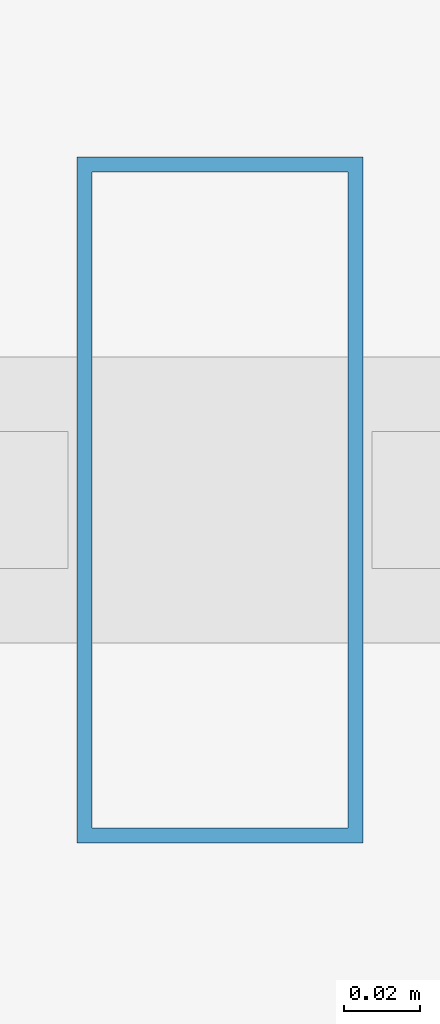
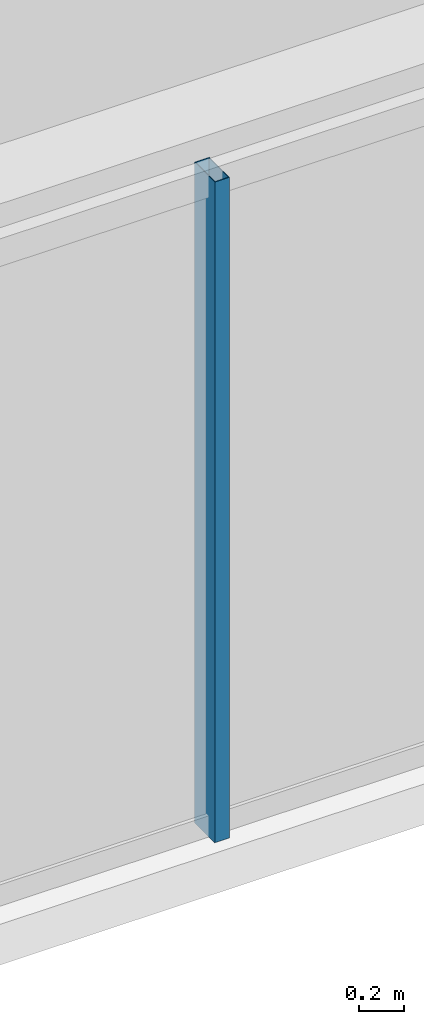
# One storey, part 7 of 32: 1 member, 1 element without a shape of its own.
"""IFC4 building model written with IfcOpenShell, lengths in metres."""

from ifc_helpers import new_model, si_unit, direction, frame, origin, origin_2d, place, context, subcontext, project, spatial, hollow_rectangle, extrude, material, layer, layer_set, material_profile, profile_set, type_object, element, aggregate, save


model = new_model("IFC4")

# Units and contexts
model_context = context("Model", 3, precision=1e-05, world=origin(), true_north=direction((0.0, 1.0)))
body_context = subcontext(model_context, "Body", "Model", "MODEL_VIEW")
ifc_project = project(units=[si_unit("LENGTHUNIT", "METRE"), si_unit("AREAUNIT", "SQUARE_METRE"), si_unit("VOLUMEUNIT", "CUBIC_METRE"), si_unit("PLANEANGLEUNIT", "RADIAN"), si_unit("MASSUNIT", "GRAM", prefix="KILO")], contexts=[model_context])

# Site, building, storey
site_placement = place(None, origin())
site = spatial("IfcSite", under=ifc_project, at=site_placement, CompositionType="ELEMENT")
building_placement = place(site_placement, origin())
building = spatial("IfcBuilding", under=site, at=building_placement, Name="Ndaravel Arena Tower", CompositionType="ELEMENT")
storey_placement = place(building_placement, frame((0.0, 0.0, 283.300048828125)))
storey = spatial("IfcBuildingStorey", under=building, at=storey_placement, Name="L69", CompositionType="ELEMENT", Elevation=283.300048828125)

# Curtain wall, member
ifc_material_1 = material(Name="Aluminium", Category="aluminium")
ifc_layer = layer(ifc_material_1, 0.179931640625)
ifc_layer_set = layer_set([ifc_layer], Name="Aluminium")
curtain_wall_type = type_object("IfcCurtainWallType", Name="CW-SYS-03", PredefinedType="NOTDEFINED", material=ifc_layer_set)
curtain_wall_placement = place(storey_placement, origin())
curtain_wall = element("IfcCurtainWall", 1, at=curtain_wall_placement, inside=storey, type_object=curtain_wall_type, Name="L69 Faceted Crystal Curtain Wall CW-L69-E01", PredefinedType="NOTDEFINED")
ifc_material_2 = material(Name="Aluminium", Category="aluminium")
ifc_material_profile = material_profile(ifc_material_2, hollow_rectangle(XDim=0.074951171875, YDim=0.179931640625, WallThickness=0.00390625, at=origin_2d()), Name="CW MULLION 75x180x4")
ifc_profile_set = profile_set([ifc_material_profile], Name="Aluminium")
member_type = type_object("IfcMemberType", Name="MEM-CW-MUL180", PredefinedType="MULLION", material=ifc_profile_set)
member_placement = place(storey_placement, frame((39.77392578125, 5.159912109375, 0.0), z_axis=(0.0, 0.0, 1.0), x_axis=(1.0, 0.0, 0.0)))
member = element("IfcMember", 2, at=member_placement, type_object=member_type, Name="CW-L69-E01 Mullion 04", PredefinedType="MULLION", context=body_context, shape_type="SweptSolid", body=[
    extrude(hollow_rectangle(XDim=0.074951171875, YDim=0.179931640625, WallThickness=0.00390625, at=origin_2d()), origin(), (0.0, 0.0, 1.0), 3.579833984375),
])
aggregate(curtain_wall, [member])

save(model, "model.ifc")
